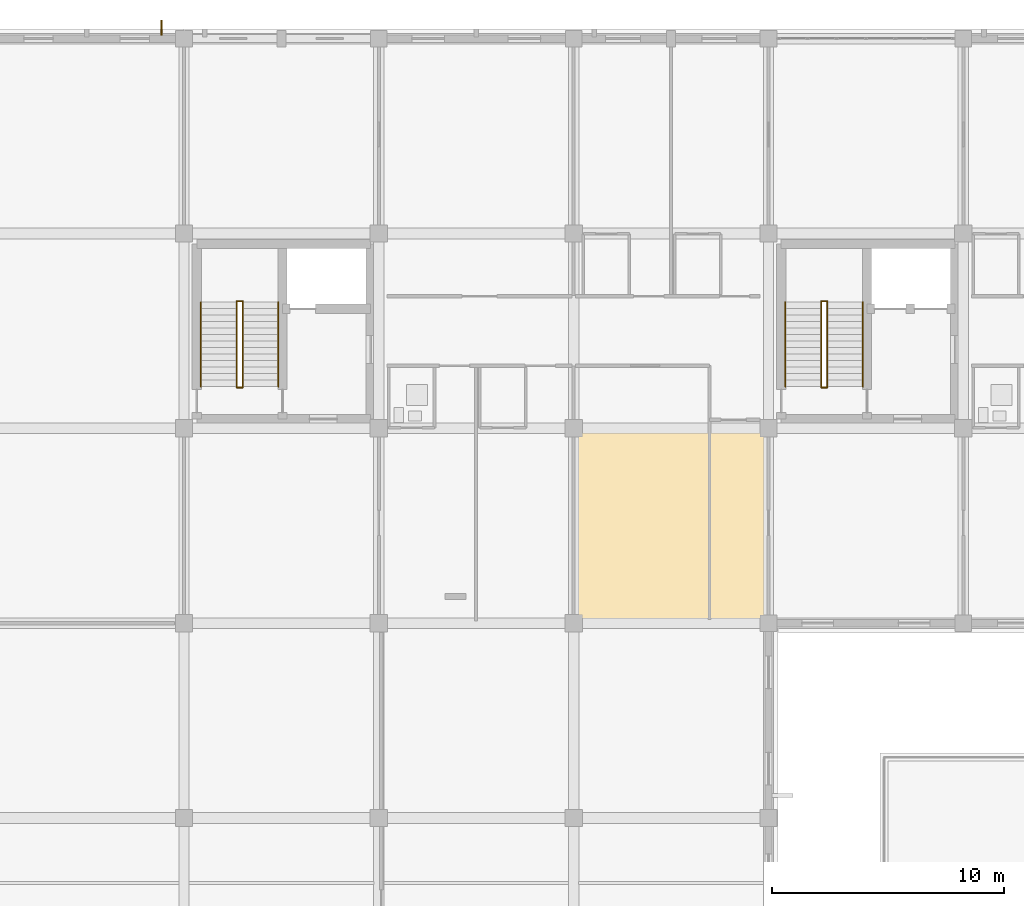
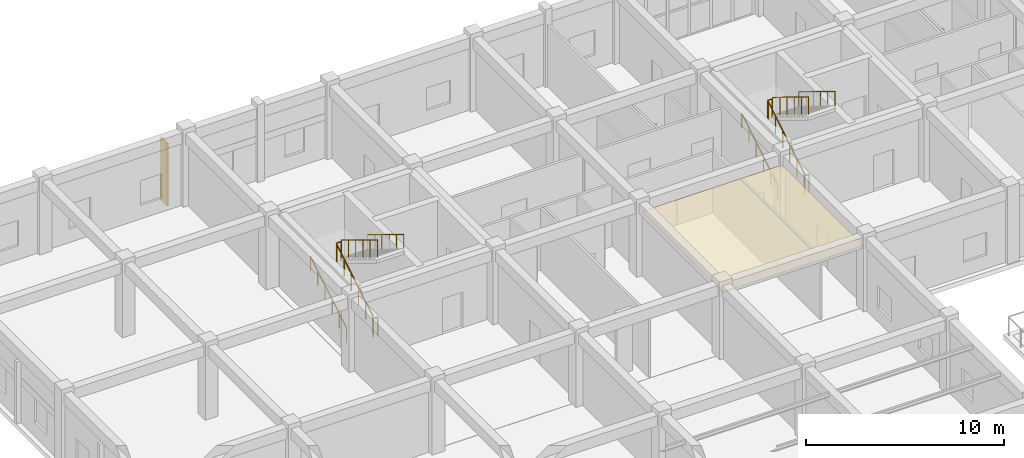
# One storey, part 153 of 158: 12 railings, 1 covering, 1 shading device.
"""IFC4 building model written with IfcOpenShell, lengths in metres."""

from ifc_helpers import new_model, si_unit, direction, frame, origin, origin_2d, place, context, subcontext, project, spatial, polyline, rectangle, circle, outline, extrude, material, layer, layer_set, type_object, element, save


model = new_model("IFC4")

# Units and contexts
model_context = context("Model", 3, precision=1e-05, world=origin(), true_north=direction((0.0, 1.0)))
body_context = subcontext(model_context, "Body", "Model", "MODEL_VIEW")
ifc_project = project(units=[si_unit("LENGTHUNIT", "METRE"), si_unit("AREAUNIT", "SQUARE_METRE"), si_unit("VOLUMEUNIT", "CUBIC_METRE"), si_unit("PLANEANGLEUNIT", "RADIAN"), si_unit("MASSUNIT", "GRAM", prefix="KILO")], contexts=[model_context])

# Site, building, storey
site_placement = place(None, origin())
site = spatial("IfcSite", under=ifc_project, at=site_placement, CompositionType="ELEMENT")
building_placement = place(site_placement, origin())
building = spatial("IfcBuilding", under=site, at=building_placement, Name="Trelvath General Hospital", CompositionType="ELEMENT")
storey_placement = place(building_placement, frame((0.0, 0.0, 8.10009765625)))
storey = spatial("IfcBuildingStorey", under=building, at=storey_placement, Name="L02", CompositionType="ELEMENT", Elevation=8.10009765625)

# Covering
ifc_material_1 = material(Name="Hygienic acoustic ceiling tile")
ifc_layer = layer(ifc_material_1, 0.02490234375)
ifc_layer_set = layer_set([ifc_layer], Name="Hygienic acoustic ceiling tile")
covering_type = type_object("IfcCoveringType", Name="Ceiling ClinicalAcoustic", PredefinedType="CEILING", material=ifc_layer_set)
covering_placement = place(storey_placement, frame((0.0, 0.0, 3.719970703125)))
element("IfcCovering", 1, at=covering_placement, inside=storey, type_object=covering_type, Name="Clinical Acoustic Ceiling L02-32", PredefinedType="CEILING", context=body_context, shape_type="SweptSolid", body=[
    extrude(outline(polyline([(33.699951171875, 92.5), (41.89990234375, 92.5), (41.89990234375, 100.719970703125), (33.699951171875, 100.719970703125), (33.699951171875, 92.5)])), origin(), (0.0, 0.0, 1.0), 0.02490234375),
])

# Railings
ifc_material_2 = material(Name="Architectural painted steel", Category="steel")
railing_type_1 = type_object("IfcRailingType", Name="Guardrail Terrace1150", PredefinedType="GUARDRAIL", material=ifc_material_2)
railing_1_placement = place(storey_placement, frame((44.27001953125, 102.56005859375, 0.0)))
element("IfcRailing", 2, at=railing_1_placement, inside=storey, type_object=railing_type_1, Name="Stair Well Edge Guard C1 L02 12", PredefinedType="GUARDRAIL", context=body_context, shape_type="SweptSolid", body=[
    extrude(circle(Radius=0.02392578125, at=origin_2d()), frame((0.0, 0.0, 1.1259765625), z_axis=(1.0, 0.0, 0.0), x_axis=(0.0, 1.0, 0.0)), (0.0, 0.0, 1.0), 0.260009765625),
    extrude(circle(Radius=0.02099609375, at=origin_2d()), origin(), (0.0, 0.0, 1.0), 1.099853515625),
    extrude(circle(Radius=0.02099609375, at=origin_2d()), frame((0.260009765625, 0.0, 0.0)), (0.0, 0.0, 1.0), 1.099853515625),
])
railing_2_placement = place(storey_placement, frame((44.530029296875, 106.239990234375, 2.5712890625)))
element("IfcRailing", 3, at=railing_2_placement, inside=storey, type_object=railing_type_1, Name="Stair Rail ST1 L02 F2 L 14", PredefinedType="GUARDRAIL", context=body_context, shape_type="SweptSolid", body=[
    extrude(circle(Radius=0.02392578125, at=origin_2d()), frame((0.0, 0.0, 1.076171875), z_axis=(0.0, -0.852850264322, 0.5221555579), x_axis=(1.0, 0.0, 0.0)), (0.0, 0.0, 1.0), 4.267822265625),
    extrude(circle(Radius=0.02099609375, at=origin_2d()), origin(), (0.0, 0.0, 1.0), 1.050048828125),
    extrude(circle(Radius=0.02099609375, at=origin_2d()), frame((0.0, -0.72802734375, 0.44580078125)), (0.0, 0.0, 1.0), 1.050048828125),
    extrude(circle(Radius=0.02099609375, at=origin_2d()), frame((0.0, -1.4560546875, 0.891357421875)), (0.0, 0.0, 1.0), 1.050048828125),
    extrude(circle(Radius=0.02099609375, at=origin_2d()), frame((0.0, -2.183837890625, 1.337158203125)), (0.0, 0.0, 1.0), 1.050048828125),
    extrude(circle(Radius=0.02099609375, at=origin_2d()), frame((0.0, -2.911865234375, 1.78271484375)), (0.0, 0.0, 1.0), 1.050048828125),
    extrude(circle(Radius=0.02099609375, at=origin_2d()), frame((0.0, -3.639892578125, 2.228515625)), (0.0, 0.0, 1.0), 1.050048828125),
])
railing_3_placement = place(storey_placement, frame((44.27001953125, 102.60009765625, 0.17138671875)))
element("IfcRailing", 4, at=railing_3_placement, inside=storey, type_object=railing_type_1, Name="Stair Rail ST1 L02 F1 R 15", PredefinedType="GUARDRAIL", context=body_context, shape_type="SweptSolid", body=[
    extrude(circle(Radius=0.02392578125, at=origin_2d()), frame((0.0, 0.0, 1.076171875), z_axis=(0.0, 0.852850264322, 0.5221555579), x_axis=(-1.0, 0.0, 0.0)), (0.0, 0.0, 1.0), 4.267822265625),
    extrude(circle(Radius=0.02099609375, at=origin_2d()), origin(), (0.0, 0.0, 1.0), 1.050048828125),
    extrude(circle(Radius=0.02099609375, at=origin_2d()), frame((0.0, 0.72802734375, 0.44580078125)), (0.0, 0.0, 1.0), 1.050048828125),
    extrude(circle(Radius=0.02099609375, at=origin_2d()), frame((0.0, 1.4560546875, 0.891357421875)), (0.0, 0.0, 1.0), 1.050048828125),
    extrude(circle(Radius=0.02099609375, at=origin_2d()), frame((0.0, 2.183837890625, 1.337158203125)), (0.0, 0.0, 1.0), 1.050048828125),
    extrude(circle(Radius=0.02099609375, at=origin_2d()), frame((0.0, 2.911865234375, 1.78271484375)), (0.0, 0.0, 1.0), 1.050048828125),
    extrude(circle(Radius=0.02099609375, at=origin_2d()), frame((0.0, 3.639892578125, 2.228515625)), (0.0, 0.0, 1.0), 1.050048828125),
])
for number, where, name in (
    (5, (44.27001953125, 106.280029296875, 2.39990234375), "Half-Landing Well Guard ST1 L02 17"),
    (6, (19.070068359375, 102.56005859375, 0.0), "Stair Well Edge Guard C3 L02 108"),
):
    element("IfcRailing", number, at=place(storey_placement, frame(where)), inside=storey, type_object=railing_type_1, Name=name, PredefinedType="GUARDRAIL", context=body_context, shape_type="SweptSolid", body=[
        extrude(circle(Radius=0.02392578125, at=origin_2d()), frame((0.0, 0.0, 1.1259765625), z_axis=(1.0, 0.0, 0.0), x_axis=(0.0, 1.0, 0.0)), (0.0, 0.0, 1.0), 0.260009765625),
        extrude(circle(Radius=0.02099609375, at=origin_2d()), origin(), (0.0, 0.0, 1.0), 1.099853515625),
        extrude(circle(Radius=0.02099609375, at=origin_2d()), frame((0.260009765625, 0.0, 0.0)), (0.0, 0.0, 1.0), 1.099853515625),
    ])
railing_4_placement = place(storey_placement, frame((19.330078125, 106.239990234375, 2.5712890625)))
element("IfcRailing", 7, at=railing_4_placement, inside=storey, type_object=railing_type_1, Name="Stair Rail ST3 L02 F2 L 110", PredefinedType="GUARDRAIL", context=body_context, shape_type="SweptSolid", body=[
    extrude(circle(Radius=0.02392578125, at=origin_2d()), frame((0.0, 0.0, 1.076171875), z_axis=(0.0, -0.852850264322, 0.5221555579), x_axis=(1.0, 0.0, 0.0)), (0.0, 0.0, 1.0), 4.267822265625),
    extrude(circle(Radius=0.02099609375, at=origin_2d()), origin(), (0.0, 0.0, 1.0), 1.050048828125),
    extrude(circle(Radius=0.02099609375, at=origin_2d()), frame((0.0, -0.72802734375, 0.44580078125)), (0.0, 0.0, 1.0), 1.050048828125),
    extrude(circle(Radius=0.02099609375, at=origin_2d()), frame((0.0, -1.4560546875, 0.891357421875)), (0.0, 0.0, 1.0), 1.050048828125),
    extrude(circle(Radius=0.02099609375, at=origin_2d()), frame((0.0, -2.183837890625, 1.337158203125)), (0.0, 0.0, 1.0), 1.050048828125),
    extrude(circle(Radius=0.02099609375, at=origin_2d()), frame((0.0, -2.911865234375, 1.78271484375)), (0.0, 0.0, 1.0), 1.050048828125),
    extrude(circle(Radius=0.02099609375, at=origin_2d()), frame((0.0, -3.639892578125, 2.228515625)), (0.0, 0.0, 1.0), 1.050048828125),
])
railing_5_placement = place(storey_placement, frame((19.070068359375, 102.60009765625, 0.17138671875)))
element("IfcRailing", 8, at=railing_5_placement, inside=storey, type_object=railing_type_1, Name="Stair Rail ST3 L02 F1 R 111", PredefinedType="GUARDRAIL", context=body_context, shape_type="SweptSolid", body=[
    extrude(circle(Radius=0.02392578125, at=origin_2d()), frame((0.0, 0.0, 1.076171875), z_axis=(0.0, 0.852850264322, 0.5221555579), x_axis=(-1.0, 0.0, 0.0)), (0.0, 0.0, 1.0), 4.267822265625),
    extrude(circle(Radius=0.02099609375, at=origin_2d()), origin(), (0.0, 0.0, 1.0), 1.050048828125),
    extrude(circle(Radius=0.02099609375, at=origin_2d()), frame((0.0, 0.72802734375, 0.44580078125)), (0.0, 0.0, 1.0), 1.050048828125),
    extrude(circle(Radius=0.02099609375, at=origin_2d()), frame((0.0, 1.4560546875, 0.891357421875)), (0.0, 0.0, 1.0), 1.050048828125),
    extrude(circle(Radius=0.02099609375, at=origin_2d()), frame((0.0, 2.183837890625, 1.337158203125)), (0.0, 0.0, 1.0), 1.050048828125),
    extrude(circle(Radius=0.02099609375, at=origin_2d()), frame((0.0, 2.911865234375, 1.78271484375)), (0.0, 0.0, 1.0), 1.050048828125),
    extrude(circle(Radius=0.02099609375, at=origin_2d()), frame((0.0, 3.639892578125, 2.228515625)), (0.0, 0.0, 1.0), 1.050048828125),
])
railing_6_placement = place(storey_placement, frame((19.070068359375, 106.280029296875, 2.39990234375)))
element("IfcRailing", 9, at=railing_6_placement, inside=storey, type_object=railing_type_1, Name="Half-Landing Well Guard ST3 L02 113", PredefinedType="GUARDRAIL", context=body_context, shape_type="SweptSolid", body=[
    extrude(circle(Radius=0.02392578125, at=origin_2d()), frame((0.0, 0.0, 1.1259765625), z_axis=(1.0, 0.0, 0.0), x_axis=(0.0, 1.0, 0.0)), (0.0, 0.0, 1.0), 0.260009765625),
    extrude(circle(Radius=0.02099609375, at=origin_2d()), origin(), (0.0, 0.0, 1.0), 1.099853515625),
    extrude(circle(Radius=0.02099609375, at=origin_2d()), frame((0.260009765625, 0.0, 0.0)), (0.0, 0.0, 1.0), 1.099853515625),
])
ifc_material_3 = material(Name="Brushed stainless steel", Category="steel")
railing_type_2 = type_object("IfcRailingType", Name="Handrail Stair900", PredefinedType="HANDRAIL", material=ifc_material_3)
railing_7_placement = place(storey_placement, frame((42.72998046875, 102.60009765625, 0.17138671875)))
element("IfcRailing", 10, at=railing_7_placement, inside=storey, type_object=railing_type_2, Name="Stair Rail ST1 L02 F1 L 13", PredefinedType="HANDRAIL", context=body_context, shape_type="SweptSolid", body=[
    extrude(circle(Radius=0.02392578125, at=origin_2d()), frame((0.0, 0.0, 0.8759765625), z_axis=(0.0, 0.852850264322, 0.5221555579), x_axis=(-1.0, 0.0, 0.0)), (0.0, 0.0, 1.0), 4.267822265625),
    extrude(circle(Radius=0.02099609375, at=origin_2d()), origin(), (0.0, 0.0, 1.0), 0.849853515625),
    extrude(circle(Radius=0.02099609375, at=origin_2d()), frame((0.0, 0.72802734375, 0.44580078125)), (0.0, 0.0, 1.0), 0.849853515625),
    extrude(circle(Radius=0.02099609375, at=origin_2d()), frame((0.0, 1.4560546875, 0.891357421875)), (0.0, 0.0, 1.0), 0.849853515625),
    extrude(circle(Radius=0.02099609375, at=origin_2d()), frame((0.0, 2.183837890625, 1.337158203125)), (0.0, 0.0, 1.0), 0.849853515625),
    extrude(circle(Radius=0.02099609375, at=origin_2d()), frame((0.0, 2.911865234375, 1.78271484375)), (0.0, 0.0, 1.0), 0.849853515625),
    extrude(circle(Radius=0.02099609375, at=origin_2d()), frame((0.0, 3.639892578125, 2.228515625)), (0.0, 0.0, 1.0), 0.849853515625),
])
railing_8_placement = place(storey_placement, frame((46.070068359375, 106.239990234375, 2.5712890625)))
element("IfcRailing", 11, at=railing_8_placement, inside=storey, type_object=railing_type_2, Name="Stair Rail ST1 L02 F2 R 16", PredefinedType="HANDRAIL", context=body_context, shape_type="SweptSolid", body=[
    extrude(circle(Radius=0.02392578125, at=origin_2d()), frame((0.0, 0.0, 0.8759765625), z_axis=(0.0, -0.852850264322, 0.5221555579), x_axis=(1.0, 0.0, 0.0)), (0.0, 0.0, 1.0), 4.267822265625),
    extrude(circle(Radius=0.02099609375, at=origin_2d()), origin(), (0.0, 0.0, 1.0), 0.849853515625),
    extrude(circle(Radius=0.02099609375, at=origin_2d()), frame((0.0, -0.72802734375, 0.44580078125)), (0.0, 0.0, 1.0), 0.849853515625),
    extrude(circle(Radius=0.02099609375, at=origin_2d()), frame((0.0, -1.4560546875, 0.891357421875)), (0.0, 0.0, 1.0), 0.849853515625),
    extrude(circle(Radius=0.02099609375, at=origin_2d()), frame((0.0, -2.183837890625, 1.337158203125)), (0.0, 0.0, 1.0), 0.849853515625),
    extrude(circle(Radius=0.02099609375, at=origin_2d()), frame((0.0, -2.911865234375, 1.78271484375)), (0.0, 0.0, 1.0), 0.849853515625),
    extrude(circle(Radius=0.02099609375, at=origin_2d()), frame((0.0, -3.639892578125, 2.228515625)), (0.0, 0.0, 1.0), 0.849853515625),
])
railing_9_placement = place(storey_placement, frame((17.530029296875, 102.60009765625, 0.17138671875)))
element("IfcRailing", 12, at=railing_9_placement, inside=storey, type_object=railing_type_2, Name="Stair Rail ST3 L02 F1 L 109", PredefinedType="HANDRAIL", context=body_context, shape_type="SweptSolid", body=[
    extrude(circle(Radius=0.02392578125, at=origin_2d()), frame((0.0, 0.0, 0.8759765625), z_axis=(0.0, 0.852850264322, 0.5221555579), x_axis=(-1.0, 0.0, 0.0)), (0.0, 0.0, 1.0), 4.267822265625),
    extrude(circle(Radius=0.02099609375, at=origin_2d()), origin(), (0.0, 0.0, 1.0), 0.849853515625),
    extrude(circle(Radius=0.02099609375, at=origin_2d()), frame((0.0, 0.72802734375, 0.44580078125)), (0.0, 0.0, 1.0), 0.849853515625),
    extrude(circle(Radius=0.02099609375, at=origin_2d()), frame((0.0, 1.4560546875, 0.891357421875)), (0.0, 0.0, 1.0), 0.849853515625),
    extrude(circle(Radius=0.02099609375, at=origin_2d()), frame((0.0, 2.183837890625, 1.337158203125)), (0.0, 0.0, 1.0), 0.849853515625),
    extrude(circle(Radius=0.02099609375, at=origin_2d()), frame((0.0, 2.911865234375, 1.78271484375)), (0.0, 0.0, 1.0), 0.849853515625),
    extrude(circle(Radius=0.02099609375, at=origin_2d()), frame((0.0, 3.639892578125, 2.228515625)), (0.0, 0.0, 1.0), 0.849853515625),
])
railing_10_placement = place(storey_placement, frame((20.8701171875, 106.239990234375, 2.5712890625)))
element("IfcRailing", 13, at=railing_10_placement, inside=storey, type_object=railing_type_2, Name="Stair Rail ST3 L02 F2 R 112", PredefinedType="HANDRAIL", context=body_context, shape_type="SweptSolid", body=[
    extrude(circle(Radius=0.02392578125, at=origin_2d()), frame((0.0, 0.0, 0.8759765625), z_axis=(0.0, -0.852850264322, 0.5221555579), x_axis=(1.0, 0.0, 0.0)), (0.0, 0.0, 1.0), 4.267822265625),
    extrude(circle(Radius=0.02099609375, at=origin_2d()), origin(), (0.0, 0.0, 1.0), 0.849853515625),
    extrude(circle(Radius=0.02099609375, at=origin_2d()), frame((0.0, -0.72802734375, 0.44580078125)), (0.0, 0.0, 1.0), 0.849853515625),
    extrude(circle(Radius=0.02099609375, at=origin_2d()), frame((0.0, -1.4560546875, 0.891357421875)), (0.0, 0.0, 1.0), 0.849853515625),
    extrude(circle(Radius=0.02099609375, at=origin_2d()), frame((0.0, -2.183837890625, 1.337158203125)), (0.0, 0.0, 1.0), 0.849853515625),
    extrude(circle(Radius=0.02099609375, at=origin_2d()), frame((0.0, -2.911865234375, 1.78271484375)), (0.0, 0.0, 1.0), 0.849853515625),
    extrude(circle(Radius=0.02099609375, at=origin_2d()), frame((0.0, -3.639892578125, 2.228515625)), (0.0, 0.0, 1.0), 0.849853515625),
])

# Shading device
ifc_material_4 = material(Name="Anodised aluminium", Category="aluminium")
shading_device_type = type_object("IfcShadingDeviceType", Name="SolarScreen PerforatedAlu", PredefinedType="JALOUSIE", material=ifc_material_4)
shading_device_placement = place(storey_placement, frame((15.829833984375, 118.080078125, 0.0), z_axis=(0.0, 0.0, 1.0), x_axis=(0.0, 1.0, 0.0)))
element("IfcShadingDevice", 14, at=shading_device_placement, inside=storey, type_object=shading_device_type, Name="Solar Brise-Soleil Screen L02-36", PredefinedType="JALOUSIE", context=body_context, shape_type="SweptSolid", body=[
    extrude(rectangle(XDim=0.64990234375, YDim=0.080078125, at=origin_2d()), origin(), (0.0, 0.0, 1.0), 3.860107421875),
])

save(model, "model.ifc")
